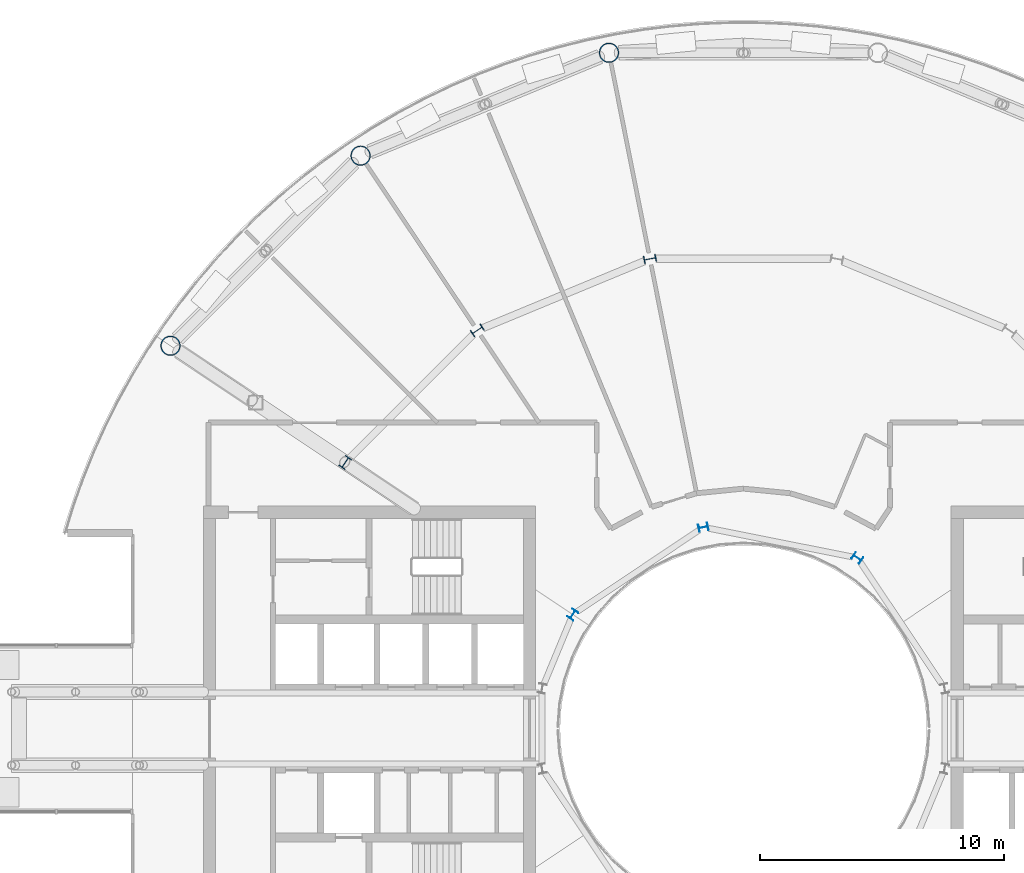
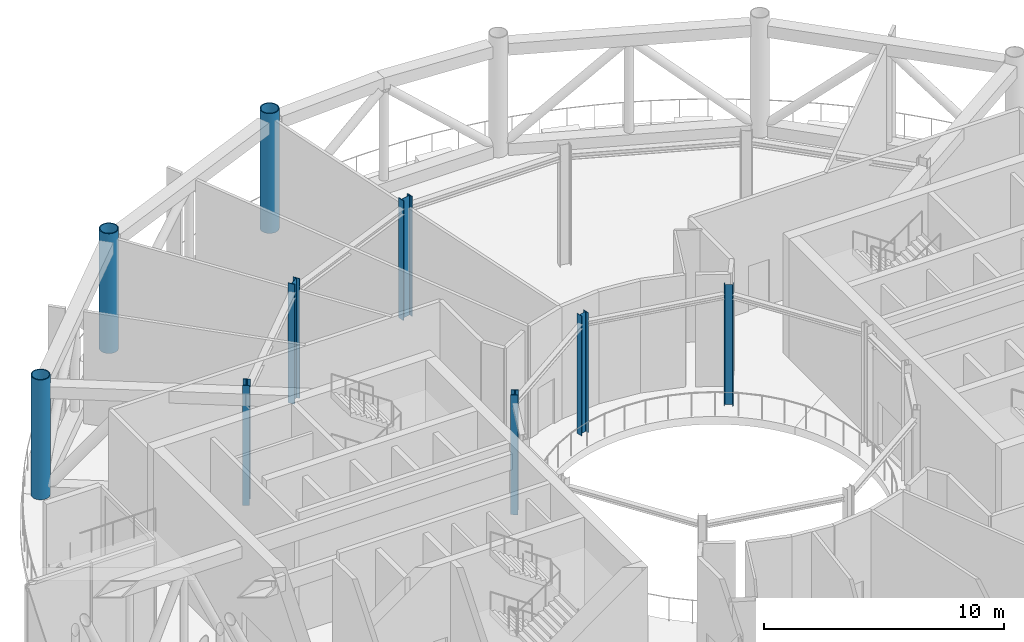
# One storey, part 3 of 24: 9 columns.
"""IFC4 building model written with IfcOpenShell, lengths in metres."""

import ifcopenshell
import ifcopenshell.guid

model = None  # the IFC model being written
_history = None  # IfcOwnerHistory: only IFC2X3 demands one
_inside = {}  # id of a spatial element -> (the spatial element, [elements in it])
_under = {}  # id of a project, library or spatial element -> (it, [spatial elements below it])
_declared = {}  # id of a project -> (the project, [libraries it declares])
_typed = {}  # id of a type object -> (the type object, [elements of that type])
_made_of = {}  # id of a material, layer set ... -> (it, [elements and type objects made of it])


def new_model(schema):
    """Start an empty IFC model of exactly this schema.

    Asked for "IFC4X3", IfcOpenShell would pick the latest addendum, in which some entities
    have other attributes; the version numbers below select the first issue.
    IFC2X3 requires an IfcOwnerHistory on every rooted entity: one is made here for all.
    """
    global model, _history
    if schema == "IFC4X3":
        model = ifcopenshell.file(schema_version=(4, 3, 0, 0))
    else:
        model = ifcopenshell.file(schema=schema)
    _inside.clear()
    _under.clear()
    _declared.clear()
    _typed.clear()
    _made_of.clear()
    _history = None
    if model.schema == "IFC2X3":
        org = make("IfcOrganization", Name="unknown")
        user = make(
            "IfcPersonAndOrganization",
            ThePerson=make("IfcPerson", FamilyName="unknown"),
            TheOrganization=org,
        )
        app = make(
            "IfcApplication",
            ApplicationDeveloper=org,
            Version="unknown",
            ApplicationFullName="unknown",
            ApplicationIdentifier="unknown",
        )
        _history = make(
            "IfcOwnerHistory",
            OwningUser=user,
            OwningApplication=app,
            ChangeAction="ADDED",
            CreationDate=0,
        )
    return model


def make(cls, **values):
    """One entity of the class cls with the attributes given. An attribute that is None is left unset."""
    return model.create_entity(
        cls, **{name: value for name, value in values.items() if value is not None}
    )


def rooted(cls, **values):
    """An entity with a GlobalId (a new one), such as an element, a storey or a relation."""
    return make(cls, GlobalId=ifcopenshell.guid.new(), OwnerHistory=_history, **values)


def si_unit(unit_type, name, prefix=None):
    """IfcSIUnit, for example si_unit("LENGTHUNIT", "METRE", prefix="MILLI")."""
    return make("IfcSIUnit", UnitType=unit_type, Prefix=prefix, Name=name)


def assignment(units):
    """IfcUnitAssignment: the units of a project."""
    return None if units is None else make("IfcUnitAssignment", Units=units)


def point(xyz):
    """IfcCartesianPoint."""
    return None if xyz is None else make("IfcCartesianPoint", Coordinates=xyz)


def direction(xyz):
    """IfcDirection."""
    return None if xyz is None else make("IfcDirection", DirectionRatios=xyz)


def frame(location, z_axis=None, x_axis=None):
    """IfcAxis2Placement3D, a coordinate frame: its origin and axes. An axis left out is left unset."""
    return make(
        "IfcAxis2Placement3D",
        Location=point(location),
        Axis=direction(z_axis),
        RefDirection=direction(x_axis),
    )


def frame_2d(location, x_axis=None):
    """IfcAxis2Placement2D, a coordinate frame in the plane: its origin and x axis."""
    return make(
        "IfcAxis2Placement2D", Location=point(location), RefDirection=direction(x_axis)
    )


def origin():
    """The frame at (0, 0, 0) with its axes left unset."""
    return frame((0.0, 0.0, 0.0))


def origin_2d():
    """The frame at (0, 0) in the plane with its x axis left unset."""
    return frame_2d((0.0, 0.0))


def place(relative_to, where):
    """IfcLocalPlacement: puts the frame where relative to a parent placement (None: the world)."""
    return make(
        "IfcLocalPlacement", PlacementRelTo=relative_to, RelativePlacement=where
    )


def context(
    kind, dimensions, precision=None, world=None, true_north=None, identifier=None
):
    """IfcGeometricRepresentationContext, for example the 3D "Model" context."""
    return make(
        "IfcGeometricRepresentationContext",
        ContextIdentifier=identifier,
        ContextType=kind,
        CoordinateSpaceDimension=dimensions,
        Precision=precision,
        WorldCoordinateSystem=world,
        TrueNorth=true_north,
    )


def subcontext(parent, identifier, kind, view, scale=None):
    """IfcGeometricRepresentationSubContext, for example "Body" below "Model"."""
    return make(
        "IfcGeometricRepresentationSubContext",
        ContextIdentifier=identifier,
        ContextType=kind,
        ParentContext=parent,
        TargetScale=scale,
        TargetView=view,
    )


def project(units=None, contexts=None):
    """IfcProject with its units and contexts."""
    return rooted(
        "IfcProject",
        Name="project",
        RepresentationContexts=contexts,
        UnitsInContext=assignment(units),
    )


def spatial(cls, under=None, at=None, **own):
    """A site, building, storey or space (cls), placed at a placement, below another one or the project."""
    s = rooted(cls, ObjectPlacement=at, **own)
    if under is not None:
        _under.setdefault(under.id(), (under, []))[1].append(s)
    return s


def profile(cls, at=None, kind="AREA", **sizes):
    """A parametric profile (cls). Its sizes go by their IFC names, for example OverallWidth=200.0."""
    return make(cls, ProfileType=kind, Position=at, **sizes)


def hollow_circle(**sizes):
    """IfcCircleHollowProfileDef."""
    return profile("IfcCircleHollowProfileDef", **sizes)


def i_section(**sizes):
    """IfcIShapeProfileDef."""
    return profile("IfcIShapeProfileDef", **sizes)


def extrude(swept, where, along, depth):
    """IfcExtrudedAreaSolid: the profile swept, set in the frame where, extruded along a direction by depth."""
    return make(
        "IfcExtrudedAreaSolid",
        SweptArea=swept,
        Position=where,
        ExtrudedDirection=direction(along),
        Depth=depth,
    )


def shape(context_of_items, identifier, shape_type, items):
    """IfcShapeRepresentation: the items that make up one representation, for example the "Body"."""
    return make(
        "IfcShapeRepresentation",
        ContextOfItems=context_of_items,
        RepresentationIdentifier=identifier,
        RepresentationType=shape_type,
        Items=items,
    )


def material(Name=None, Category=None):
    """IfcMaterial."""
    return make("IfcMaterial", Name=Name, Category=Category)


def material_profile(
    of_material, cross_section, Name=None, Category=None, Priority=None
):
    """IfcMaterialProfile: a cross section and its material."""
    return make(
        "IfcMaterialProfile",
        Name=Name,
        Material=of_material,
        Profile=cross_section,
        Priority=Priority,
        Category=Category,
    )


def profile_set(profiles, Name=None, composite=None):
    """IfcMaterialProfileSet."""
    return make(
        "IfcMaterialProfileSet",
        Name=Name,
        MaterialProfiles=profiles,
        CompositeProfile=composite,
    )


def made_of(thing, what):
    """Note that an element or type object is made of a material, layer set ...; save() writes the relation."""
    if what is not None:
        _made_of.setdefault(what.id(), (what, []))[1].append(thing)
    return thing


def type_object(cls, material=None, **own):
    """A type object (cls), such as IfcWallType, which elements share."""
    return made_of(rooted(cls, **own), material)


def element(
    cls,
    number,
    at=None,
    inside=None,
    cuts=None,
    type_object=None,
    material=None,
    context=None,
    identifier="Body",
    shape_type=None,
    held_by="IfcProductDefinitionShape",
    body=None,
    shapes=None,
    **own,
):
    """One element of the class cls, such as IfcWall. Its Tag is "e" and its number.

    at: its placement. inside: the storey or other place that contains it. cuts: it is an
    opening in that element (IfcRelVoidsElement). A single representation is given by context,
    identifier, shape_type and body (its items); several are given by shapes. held_by: the class
    of the entity that holds the representations. save() writes the other relations.
    """
    e = rooted(cls, Tag="e%d" % number, ObjectPlacement=at, **own)
    if body is not None:
        shapes = [shape(context, identifier, shape_type, body)]
    if shapes is not None:
        e.Representation = make(held_by, Representations=shapes)
    if inside is not None:
        _inside.setdefault(inside.id(), (inside, []))[1].append(e)
    if cuts is not None:
        rooted(
            "IfcRelVoidsElement", RelatingBuildingElement=cuts, RelatedOpeningElement=e
        )
    if type_object is not None:
        _typed.setdefault(type_object.id(), (type_object, []))[1].append(e)
    return made_of(e, material)


def aggregate(whole, parts):
    """IfcRelAggregates: a whole, such as a stair, and the parts it consists of."""
    return rooted("IfcRelAggregates", RelatingObject=whole, RelatedObjects=parts)


def save(model, path):
    """Write the relations noted so far, then the file.

    IfcRelAggregates (storeys below a building ...), IfcRelContainedInSpatialStructure (elements
    in a storey), IfcRelDefinesByType, IfcRelAssociatesMaterial and IfcRelDeclares: one each for
    every whole, place, type object, material and project.
    """
    for whole, parts in _under.values():
        aggregate(whole, parts)
    for where, things in _inside.values():
        rooted(
            "IfcRelContainedInSpatialStructure",
            RelatedElements=things,
            RelatingStructure=where,
        )
    for kind, things in _typed.values():
        rooted("IfcRelDefinesByType", RelatedObjects=things, RelatingType=kind)
    for what, things in _made_of.values():
        rooted("IfcRelAssociatesMaterial", RelatedObjects=things, RelatingMaterial=what)
    for by, libraries in _declared.values():
        rooted("IfcRelDeclares", RelatingContext=by, RelatedDefinitions=libraries)
    model.write(path)


model = new_model("IFC4")

# Units and contexts
model_context = context("Model", 3, precision=1e-05, world=origin(), true_north=direction((0.0, 1.0)))
body_context = subcontext(model_context, "Body", "Model", "MODEL_VIEW")
ifc_project = project(units=[si_unit("LENGTHUNIT", "METRE"), si_unit("AREAUNIT", "SQUARE_METRE"), si_unit("VOLUMEUNIT", "CUBIC_METRE"), si_unit("PLANEANGLEUNIT", "RADIAN"), si_unit("MASSUNIT", "GRAM", prefix="KILO")], contexts=[model_context])

# Site, building, storey
site_placement = place(None, origin())
site = spatial("IfcSite", under=ifc_project, at=site_placement, CompositionType="ELEMENT")
building_placement = place(site_placement, origin())
building = spatial("IfcBuilding", under=site, at=building_placement, Name="Maasbend Ring Residences", CompositionType="ELEMENT")
storey_placement = place(building_placement, frame((0.0, 0.0, 179.89990234375)))
storey = spatial("IfcBuildingStorey", under=building, at=storey_placement, Name="L52", CompositionType="ELEMENT", Elevation=179.89990234375)

# Columns
ifc_material_1 = material(Name="Composite concrete-filled steel tube S460NH / C80/95", Category="concrete")
ifc_material_profile_1 = material_profile(ifc_material_1, hollow_circle(Radius=0.406494140625, WallThickness=0.0400390625, at=origin_2d()), Name="Composite tube column CHS 813x40")
ifc_profile_set_1 = profile_set([ifc_material_profile_1], Name="Composite concrete-filled steel tube S460NH / C80/95")
column_type_1 = type_object("IfcColumnType", Name="Composite tube column CHS 813x40", PredefinedType="COLUMN", material=ifc_profile_set_1)
for number, where, z_axis, x_axis, name in (
    (1, (-5.50146484375, 27.658203125, 0.0), (0.0, 0.0, 1.0), (1.0, 0.0, 0.0), "Outer column R5"),
    (2, (-15.6669921875, 23.447509765625, 0.0), (0.0, 0.0, 1.0), (1.0, 0.0, 0.0), "Outer column R6"),
    (3, (-23.447509765625, 15.6669921875, 0.0), (0.0, 0.0, 1.0), (1.0, 0.0, 0.0), "Outer column R7"),
):
    element("IfcColumn", number, at=place(storey_placement, frame(where, z_axis=z_axis, x_axis=x_axis)), inside=storey, type_object=column_type_1, Name=name, PredefinedType="COLUMN", context=body_context, shape_type="SweptSolid", body=[
        extrude(hollow_circle(Radius=0.406494140625, WallThickness=0.0400390625, at=origin_2d()), origin(), (0.0, 0.0, 1.0), 6.10009765625),
    ])
ifc_material_2 = material(Name="Steel S355J2", Category="steel")
ifc_material_profile_2 = material_profile(ifc_material_2, i_section(OverallWidth=0.300048828125, OverallDepth=0.389892578125, WebThickness=0.010986328125, FlangeThickness=0.01904296875, FilletRadius=0.027099609375, at=origin_2d()), Name="HEA 400")
ifc_profile_set_2 = profile_set([ifc_material_profile_2], Name="Steel S355J2")
column_type_2 = type_object("IfcColumnType", Name="Steel column HEA 400", PredefinedType="COLUMN", material=ifc_profile_set_2)
for number, where, z_axis, x_axis, name in (
    (4, (4.666748046875, 6.984375, 0.0), (0.0, 0.0, 1.0), (0.55557023302, 0.831469612303, 0.0), "Well ring column R3"),
    (5, (-1.638916015625, 8.238525390625, 0.0), (0.0, 0.0, 1.0), (-0.195090322016, 0.980785280403, 0.0), "Well ring column R5"),
    (6, (-6.984375, 4.666748046875, 0.0), (0.0, 0.0, 1.0), (-0.831469612303, 0.55557023302, 0.0), "Well ring column R7"),
):
    element("IfcColumn", number, at=place(storey_placement, frame(where, z_axis=z_axis, x_axis=x_axis)), inside=storey, type_object=column_type_2, Name=name, PredefinedType="COLUMN", context=body_context, shape_type="SweptSolid", body=[
        extrude(i_section(OverallWidth=0.300048828125, OverallDepth=0.389892578125, WebThickness=0.010986328125, FlangeThickness=0.01904296875, FilletRadius=0.027099609375, at=origin_2d()), origin(), (0.0, 0.0, 1.0), 6.10009765625),
    ])
ifc_material_3 = material(Name="Steel S355J2", Category="steel")
ifc_material_profile_3 = material_profile(ifc_material_3, i_section(OverallWidth=0.300048828125, OverallDepth=0.5, WebThickness=0.014404296875, FlangeThickness=0.028076171875, FilletRadius=0.027099609375, at=origin_2d()), Name="HEB 500")
ifc_profile_set_3 = profile_set([ifc_material_profile_3], Name="Steel S355J2")
column_type_3 = type_object("IfcColumnType", Name="Steel column HEB 500", PredefinedType="COLUMN", material=ifc_profile_set_3)
for number, where, z_axis, x_axis, name in (
    (7, (-3.82373046875, 19.223388671875, 0.0), (0.0, 0.0, 1.0), (-0.195090322016, 0.980785280403, 0.0), "Corridor ring column R5"),
    (8, (-10.88916015625, 16.296875, 0.0), (0.0, 0.0, 1.0), (-0.55557023302, 0.831469612303, 0.0), "Corridor ring column R6"),
    (9, (-16.296875, 10.88916015625, 0.0), (0.0, 0.0, 1.0), (-0.831469612303, 0.55557023302, 0.0), "Corridor ring column R7"),
):
    element("IfcColumn", number, at=place(storey_placement, frame(where, z_axis=z_axis, x_axis=x_axis)), inside=storey, type_object=column_type_3, Name=name, PredefinedType="COLUMN", context=body_context, shape_type="SweptSolid", body=[
        extrude(i_section(OverallWidth=0.300048828125, OverallDepth=0.5, WebThickness=0.014404296875, FlangeThickness=0.028076171875, FilletRadius=0.027099609375, at=origin_2d()), origin(), (0.0, 0.0, 1.0), 6.10009765625),
    ])

save(model, "model.ifc")
